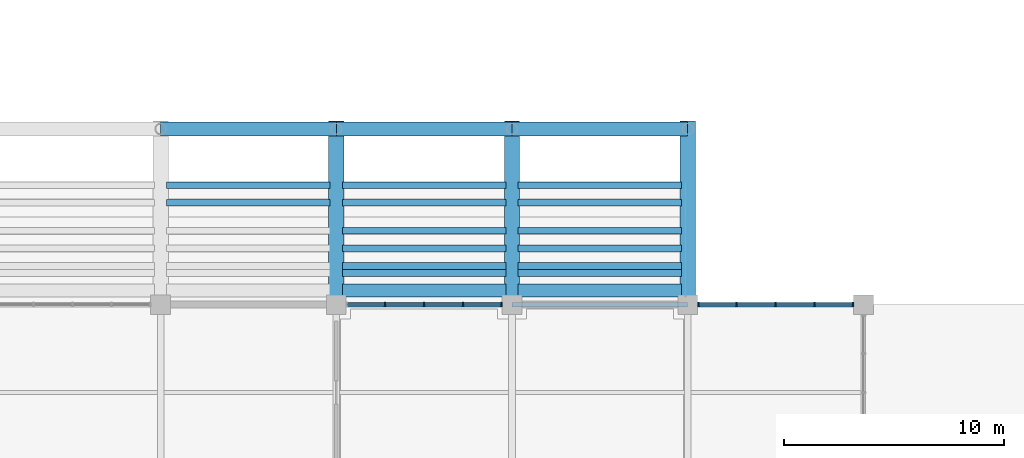
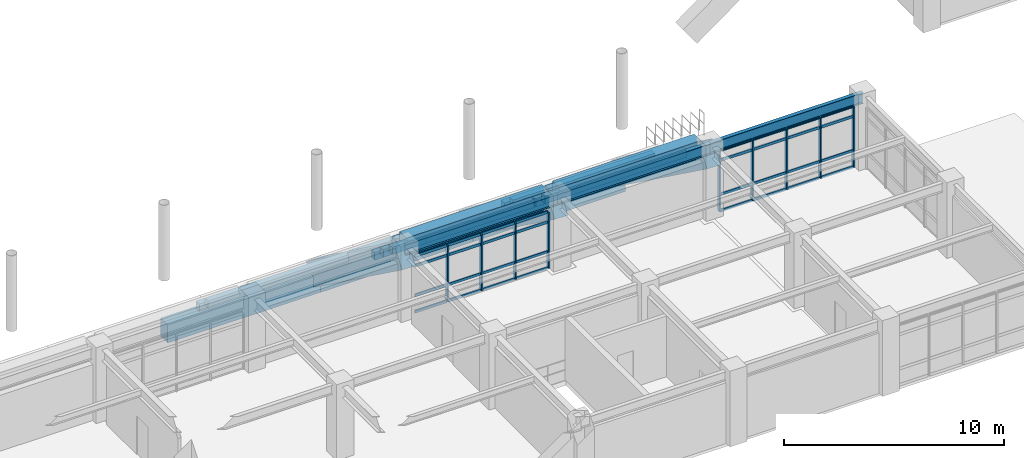
# One storey, part 24 of 118: 41 members, 25 beams, 2 elements without a shape of their own.
"""IFC4 building model written with IfcOpenShell, lengths in metres."""

from ifc_helpers import new_model, si_unit, direction, frame, origin, origin_2d, place, context, subcontext, project, spatial, rectangle, i_section, extrude, material, layer, layer_set, material_profile, profile_set, type_object, element, aggregate, save


model = new_model("IFC4")

# Units and contexts
model_context = context("Model", 3, precision=1e-05, world=origin(), true_north=direction((0.0, 1.0)))
body_context = subcontext(model_context, "Body", "Model", "MODEL_VIEW")
ifc_project = project(units=[si_unit("LENGTHUNIT", "METRE"), si_unit("AREAUNIT", "SQUARE_METRE"), si_unit("VOLUMEUNIT", "CUBIC_METRE"), si_unit("PLANEANGLEUNIT", "RADIAN"), si_unit("MASSUNIT", "GRAM", prefix="KILO")], contexts=[model_context])

# Site, building, storey
site_placement = place(None, origin())
site = spatial("IfcSite", under=ifc_project, at=site_placement, CompositionType="ELEMENT")
building_placement = place(site_placement, origin())
building = spatial("IfcBuilding", under=site, at=building_placement, Name="Haebicheon Civic Stadium", CompositionType="ELEMENT")
storey_placement = place(building_placement, frame((0.0, 0.0, 14.39990234375)))
storey = spatial("IfcBuildingStorey", under=building, at=storey_placement, Name="L04", CompositionType="ELEMENT", Elevation=14.39990234375)

# Beams
ifc_material_1 = material(Name="Precast concrete C40/50", Category="concrete")
ifc_material_profile_1 = material_profile(ifc_material_1, rectangle(XDim=0.300048828125, YDim=0.39990234375, at=origin_2d()), Name="PC-LN-300x400")
ifc_profile_set_1 = profile_set([ifc_material_profile_1], Name="Precast concrete C40/50")
beam_type_1 = type_object("IfcBeamType", Name="BM-LN-300x400", PredefinedType="LINTEL", material=ifc_profile_set_1)
for number, where, z_axis, x_axis, name in (
    (1, (104.280029296875, 37.43994140625, -0.10693359375), (1.0, 0.0, 0.0), (0.0, 1.0, 0.0), "TIER-S-U precast step carrier beam 4.4"),
    (2, (104.280029296875, 36.639892578125, 0.5380859375), (1.0, 0.0, 0.0), (0.0, 1.0, 0.0), "TIER-S-U precast step carrier beam 4.5"),
    (3, (112.280029296875, 37.43994140625, -0.10693359375), (1.0, 0.0, 0.0), (0.0, 1.0, 0.0), "TIER-S-U precast step carrier beam 5.4"),
    (4, (112.280029296875, 36.639892578125, 0.5380859375), (1.0, 0.0, 0.0), (0.0, 1.0, 0.0), "TIER-S-U precast step carrier beam 5.5"),
    (5, (112.280029296875, 35.360107421875, 1.18212890625), (1.0, 0.0, 0.0), (0.0, 1.0, 0.0), "TIER-S-U precast step carrier beam 5.6"),
    (6, (112.280029296875, 34.56005859375, 1.8271484375), (1.0, 0.0, 0.0), (0.0, 1.0, 0.0), "TIER-S-U precast step carrier beam 5.7"),
    (7, (112.280029296875, 33.760009765625, 2.47119140625), (1.0, 0.0, 0.0), (0.0, 1.0, 0.0), "TIER-S-U precast step carrier beam 5.8"),
    (8, (112.280029296875, 33.43994140625, 3.1162109375), (1.0, 0.0, 0.0), (0.0, 1.0, 0.0), "TIER-S-U precast step carrier beam 5.9"),
    (9, (120.280029296875, 37.43994140625, -0.10693359375), (1.0, 0.0, 0.0), (0.0, 1.0, 0.0), "TIER-S-U precast step carrier beam 6.4"),
    (10, (120.280029296875, 36.639892578125, 0.5380859375), (1.0, 0.0, 0.0), (0.0, 1.0, 0.0), "TIER-S-U precast step carrier beam 6.5"),
    (11, (120.280029296875, 35.360107421875, 1.18212890625), (1.0, 0.0, 0.0), (0.0, 1.0, 0.0), "TIER-S-U precast step carrier beam 6.6"),
    (12, (120.280029296875, 34.56005859375, 1.8271484375), (1.0, 0.0, 0.0), (0.0, 1.0, 0.0), "TIER-S-U precast step carrier beam 6.7"),
    (13, (120.280029296875, 33.760009765625, 2.47119140625), (1.0, 0.0, 0.0), (0.0, 1.0, 0.0), "TIER-S-U precast step carrier beam 6.8"),
    (14, (120.280029296875, 33.43994140625, 3.1162109375), (1.0, 0.0, 0.0), (0.0, 1.0, 0.0), "TIER-S-U precast step carrier beam 6.9"),
):
    element("IfcBeam", number, at=place(storey_placement, frame(where, z_axis=z_axis, x_axis=x_axis)), inside=storey, type_object=beam_type_1, material=ifc_profile_set_1, Name=name, PredefinedType="LINTEL", context=body_context, shape_type="SweptSolid", body=[
        extrude(rectangle(XDim=0.300048828125, YDim=0.39990234375, at=origin_2d()), origin(), (0.0, 0.0, 1.0), 7.43994140625),
    ])
ifc_material_2 = material(Name="Concrete C40/50", Category="concrete")
ifc_material_profile_2 = material_profile(ifc_material_2, rectangle(XDim=0.64990234375, YDim=1.0, at=origin_2d()), Name="RC-BM-650x1000")
ifc_profile_set_2 = profile_set([ifc_material_profile_2], Name="Concrete C40/50")
beam_type_2 = type_object("IfcBeamType", Name="BM-RC-650x1000", PredefinedType="BEAM", material=ifc_profile_set_2)
for number, where, z_axis, x_axis, name in (
    (15, (104.0, 40.0, -2.914794921875), (1.0, 0.0, 0.0), (0.0, 1.0, 0.0), "TIER-S-U nose support girder 4"),
    (16, (112.0, 40.0, -2.914794921875), (1.0, 0.0, 0.0), (0.0, 1.0, 0.0), "TIER-S-U nose support girder 5"),
    (17, (120.0, 40.0, -2.914794921875), (1.0, 0.0, 0.0), (0.0, 1.0, 0.0), "TIER-S-U nose support girder 6"),
):
    element("IfcBeam", number, at=place(storey_placement, frame(where, z_axis=z_axis, x_axis=x_axis)), inside=storey, type_object=beam_type_2, material=ifc_profile_set_2, Name=name, PredefinedType="BEAM", context=body_context, shape_type="SweptSolid", body=[
        extrude(rectangle(XDim=0.64990234375, YDim=1.0, at=origin_2d()), origin(), (0.0, 0.0, 1.0), 8.0),
    ])
ifc_material_3 = material(Name="Precast concrete C40/50", Category="concrete")
ifc_material_profile_3 = material_profile(ifc_material_3, rectangle(XDim=0.60009765625, YDim=0.85009765625, at=origin_2d()), Name="PC-TB-600x850")
ifc_profile_set_3 = profile_set([ifc_material_profile_3], Name="Precast concrete C40/50")
beam_type_3 = type_object("IfcBeamType", Name="BM-TB-600x850", PredefinedType="T_BEAM", material=ifc_profile_set_3)
for number, where, z_axis, x_axis, name in (
    (18, (112.280029296875, 32.639892578125, 3.53515625), (1.0, 0.0, 0.0), (0.0, 1.0, 0.0), "TIER-S-U upper tier bench carrier beam 5"),
    (19, (120.280029296875, 32.639892578125, 3.53515625), (1.0, 0.0, 0.0), (0.0, 1.0, 0.0), "TIER-S-U upper tier bench carrier beam 6"),
):
    element("IfcBeam", number, at=place(storey_placement, frame(where, z_axis=z_axis, x_axis=x_axis)), inside=storey, type_object=beam_type_3, material=ifc_profile_set_3, Name=name, PredefinedType="T_BEAM", context=body_context, shape_type="SweptSolid", body=[
        extrude(rectangle(XDim=0.60009765625, YDim=0.85009765625, at=origin_2d()), origin(), (0.0, 0.0, 1.0), 7.43994140625),
    ])

# Curtain wall, members
ifc_material_4 = material(Name="Anodised aluminium and laminated glass", Category="aluminium")
ifc_layer_1 = layer(ifc_material_4, 0.179931640625, Name="Anodised aluminium and laminated glass")
ifc_layer_set_1 = layer_set([ifc_layer_1], Name="Anodised aluminium and laminated glass")
curtain_wall_type_1 = type_object("IfcCurtainWallType", Name="CW-7100x3100", PredefinedType="NOTDEFINED", material=ifc_layer_set_1)
curtain_wall_1_placement = place(storey_placement, origin())
curtain_wall_1 = element("IfcCurtainWall", 20, at=curtain_wall_1_placement, inside=storey, type_object=curtain_wall_type_1, material=ifc_layer_set_1, Name="L04 unitised curtain wall 136", PredefinedType="NOTDEFINED")
ifc_material_5 = material(Name="Anodised aluminium 6063-T6", Category="aluminium")
ifc_material_profile_4 = material_profile(ifc_material_5, rectangle(XDim=0.070068359375, YDim=0.199951171875, at=origin_2d()), Name="ALU-MULL-70x200")
ifc_profile_set_4 = profile_set([ifc_material_profile_4], Name="Anodised aluminium 6063-T6")
member_type_1 = type_object("IfcMemberType", Name="CWM-200x70", PredefinedType="MULLION", material=ifc_profile_set_4)
member_1_placement = place(storey_placement, frame((114.22509765625, 32.0, 0.0), z_axis=(0.0, 0.0, 1.0), x_axis=(1.0, 0.0, 0.0)))
member_1 = element("IfcMember", 21, at=member_1_placement, type_object=member_type_1, material=ifc_profile_set_4, Name="CW-L04-136 vertical mullion 2", PredefinedType="MULLION", context=body_context, shape_type="SweptSolid", body=[
    extrude(rectangle(XDim=0.070068359375, YDim=0.199951171875, at=origin_2d()), origin(), (0.0, 0.0, 1.0), 3.10009765625),
])
member_2_placement = place(storey_placement, frame((116.0, 32.0, 0.0), z_axis=(0.0, 0.0, 1.0), x_axis=(1.0, 0.0, 0.0)))
member_2 = element("IfcMember", 22, at=member_2_placement, type_object=member_type_1, material=ifc_profile_set_4, Name="CW-L04-136 vertical mullion 3", PredefinedType="MULLION", context=body_context, shape_type="SweptSolid", body=[
    extrude(rectangle(XDim=0.070068359375, YDim=0.199951171875, at=origin_2d()), origin(), (0.0, 0.0, 1.0), 3.10009765625),
])
member_3_placement = place(storey_placement, frame((117.77490234375, 32.0, 0.0), z_axis=(0.0, 0.0, 1.0), x_axis=(1.0, 0.0, 0.0)))
member_3 = element("IfcMember", 23, at=member_3_placement, type_object=member_type_1, material=ifc_profile_set_4, Name="CW-L04-136 vertical mullion 4", PredefinedType="MULLION", context=body_context, shape_type="SweptSolid", body=[
    extrude(rectangle(XDim=0.070068359375, YDim=0.199951171875, at=origin_2d()), origin(), (0.0, 0.0, 1.0), 3.10009765625),
])
member_4_placement = place(storey_placement, frame((119.514892578125, 32.0, 0.0), z_axis=(0.0, 0.0, 1.0), x_axis=(1.0, 0.0, 0.0)))
member_4 = element("IfcMember", 24, at=member_4_placement, type_object=member_type_1, material=ifc_profile_set_4, Name="CW-L04-136 vertical mullion 5", PredefinedType="MULLION", context=body_context, shape_type="SweptSolid", body=[
    extrude(rectangle(XDim=0.070068359375, YDim=0.199951171875, at=origin_2d()), origin(), (0.0, 0.0, 1.0), 3.10009765625),
])

ifc_material_6 = material(Name="Anodised aluminium and laminated glass", Category="aluminium")
ifc_layer_2 = layer(ifc_material_6, 0.179931640625, Name="Anodised aluminium and laminated glass")
ifc_layer_set_2 = layer_set([ifc_layer_2], Name="Anodised aluminium and laminated glass")
curtain_wall_type_2 = type_object("IfcCurtainWallType", Name="CW-7100x3346", PredefinedType="NOTDEFINED", material=ifc_layer_set_2)
curtain_wall_2_placement = place(storey_placement, origin())
curtain_wall_2 = element("IfcCurtainWall", 25, at=curtain_wall_2_placement, inside=storey, type_object=curtain_wall_type_2, material=ifc_layer_set_2, Name="L04 unitised curtain wall 140", PredefinedType="NOTDEFINED")
member_5_placement = place(storey_placement, frame((128.485107421875, 32.0, 0.0), z_axis=(0.0, 0.0, 1.0), x_axis=(1.0, 0.0, 0.0)))
member_5 = element("IfcMember", 26, at=member_5_placement, type_object=member_type_1, material=ifc_profile_set_4, Name="CW-L04-140 vertical mullion 1", PredefinedType="MULLION", context=body_context, shape_type="SweptSolid", body=[
    extrude(rectangle(XDim=0.070068359375, YDim=0.199951171875, at=origin_2d()), origin(), (0.0, 0.0, 1.0), 3.34619140625),
])
member_6_placement = place(storey_placement, frame((130.22509765625, 32.0, 0.0), z_axis=(0.0, 0.0, 1.0), x_axis=(1.0, 0.0, 0.0)))
member_6 = element("IfcMember", 27, at=member_6_placement, type_object=member_type_1, material=ifc_profile_set_4, Name="CW-L04-140 vertical mullion 2", PredefinedType="MULLION", context=body_context, shape_type="SweptSolid", body=[
    extrude(rectangle(XDim=0.070068359375, YDim=0.199951171875, at=origin_2d()), origin(), (0.0, 0.0, 1.0), 3.34619140625),
])
member_7_placement = place(storey_placement, frame((132.0, 32.0, 0.0), z_axis=(0.0, 0.0, 1.0), x_axis=(1.0, 0.0, 0.0)))
member_7 = element("IfcMember", 28, at=member_7_placement, type_object=member_type_1, material=ifc_profile_set_4, Name="CW-L04-140 vertical mullion 3", PredefinedType="MULLION", context=body_context, shape_type="SweptSolid", body=[
    extrude(rectangle(XDim=0.070068359375, YDim=0.199951171875, at=origin_2d()), origin(), (0.0, 0.0, 1.0), 3.34619140625),
])
member_8_placement = place(storey_placement, frame((133.77490234375, 32.0, 0.0), z_axis=(0.0, 0.0, 1.0), x_axis=(1.0, 0.0, 0.0)))
member_8 = element("IfcMember", 29, at=member_8_placement, type_object=member_type_1, material=ifc_profile_set_4, Name="CW-L04-140 vertical mullion 4", PredefinedType="MULLION", context=body_context, shape_type="SweptSolid", body=[
    extrude(rectangle(XDim=0.070068359375, YDim=0.199951171875, at=origin_2d()), origin(), (0.0, 0.0, 1.0), 3.34619140625),
])
member_9_placement = place(storey_placement, frame((135.514892578125, 32.0, 0.0), z_axis=(0.0, 0.0, 1.0), x_axis=(1.0, 0.0, 0.0)))
member_9 = element("IfcMember", 30, at=member_9_placement, type_object=member_type_1, material=ifc_profile_set_4, Name="CW-L04-140 vertical mullion 5", PredefinedType="MULLION", context=body_context, shape_type="SweptSolid", body=[
    extrude(rectangle(XDim=0.070068359375, YDim=0.199951171875, at=origin_2d()), origin(), (0.0, 0.0, 1.0), 3.34619140625),
])

# Member
ifc_material_7 = material(Name="Anodised aluminium 6063-T6", Category="aluminium")
ifc_material_profile_5 = material_profile(ifc_material_7, rectangle(XDim=0.070068359375, YDim=0.14990234375, at=origin_2d()), Name="ALU-TRAN-70x150")
ifc_profile_set_5 = profile_set([ifc_material_profile_5], Name="Anodised aluminium 6063-T6")
member_type_2 = type_object("IfcMemberType", Name="CWT-150x70", PredefinedType="NOTDEFINED", material=ifc_profile_set_5)
member_10_placement = place(storey_placement, frame((112.52001953125, 32.0, 0.0), z_axis=(1.0, 0.0, 0.0), x_axis=(0.0, 1.0, 0.0)))
member_10 = element("IfcMember", 31, at=member_10_placement, type_object=member_type_2, material=ifc_profile_set_5, Name="CW-L04-136 horizontal transom 1.1", ObjectType="TRANSOM", PredefinedType="USERDEFINED", context=body_context, shape_type="SweptSolid", body=[
    extrude(rectangle(XDim=0.070068359375, YDim=0.14990234375, at=origin_2d()), origin(), (0.0, 0.0, 1.0), 1.669921875),
])

member_11_placement = place(storey_placement, frame((112.52001953125, 32.0, 0.900146484375), z_axis=(1.0, 0.0, 0.0), x_axis=(0.0, 1.0, 0.0)))
member_11 = element("IfcMember", 32, at=member_11_placement, type_object=member_type_2, material=ifc_profile_set_5, Name="CW-L04-136 horizontal transom 1.2", ObjectType="TRANSOM", PredefinedType="USERDEFINED", context=body_context, shape_type="SweptSolid", body=[
    extrude(rectangle(XDim=0.070068359375, YDim=0.14990234375, at=origin_2d()), origin(), (0.0, 0.0, 1.0), 1.669921875),
])

member_12_placement = place(storey_placement, frame((112.52001953125, 32.0, 2.550048828125), z_axis=(1.0, 0.0, 0.0), x_axis=(0.0, 1.0, 0.0)))
member_12 = element("IfcMember", 33, at=member_12_placement, type_object=member_type_2, material=ifc_profile_set_5, Name="CW-L04-136 horizontal transom 1.3", ObjectType="TRANSOM", PredefinedType="USERDEFINED", context=body_context, shape_type="SweptSolid", body=[
    extrude(rectangle(XDim=0.070068359375, YDim=0.14990234375, at=origin_2d()), origin(), (0.0, 0.0, 1.0), 1.669921875),
])

member_13_placement = place(storey_placement, frame((112.52001953125, 32.0, 3.10009765625), z_axis=(1.0, 0.0, 0.0), x_axis=(0.0, 1.0, 0.0)))
member_13 = element("IfcMember", 34, at=member_13_placement, type_object=member_type_2, material=ifc_profile_set_5, Name="CW-L04-136 horizontal transom 1.4", ObjectType="TRANSOM", PredefinedType="USERDEFINED", context=body_context, shape_type="SweptSolid", body=[
    extrude(rectangle(XDim=0.070068359375, YDim=0.14990234375, at=origin_2d()), origin(), (0.0, 0.0, 1.0), 1.669921875),
])

member_14_placement = place(storey_placement, frame((114.260009765625, 32.0, 0.0), z_axis=(1.0, 0.0, 0.0), x_axis=(0.0, 1.0, 0.0)))
member_14 = element("IfcMember", 35, at=member_14_placement, type_object=member_type_2, material=ifc_profile_set_5, Name="CW-L04-136 horizontal transom 2.1", ObjectType="TRANSOM", PredefinedType="USERDEFINED", context=body_context, shape_type="SweptSolid", body=[
    extrude(rectangle(XDim=0.070068359375, YDim=0.14990234375, at=origin_2d()), origin(), (0.0, 0.0, 1.0), 1.705078125),
])

member_15_placement = place(storey_placement, frame((114.260009765625, 32.0, 0.900146484375), z_axis=(1.0, 0.0, 0.0), x_axis=(0.0, 1.0, 0.0)))
member_15 = element("IfcMember", 36, at=member_15_placement, type_object=member_type_2, material=ifc_profile_set_5, Name="CW-L04-136 horizontal transom 2.2", ObjectType="TRANSOM", PredefinedType="USERDEFINED", context=body_context, shape_type="SweptSolid", body=[
    extrude(rectangle(XDim=0.070068359375, YDim=0.14990234375, at=origin_2d()), origin(), (0.0, 0.0, 1.0), 1.705078125),
])

member_16_placement = place(storey_placement, frame((114.260009765625, 32.0, 2.550048828125), z_axis=(1.0, 0.0, 0.0), x_axis=(0.0, 1.0, 0.0)))
member_16 = element("IfcMember", 37, at=member_16_placement, type_object=member_type_2, material=ifc_profile_set_5, Name="CW-L04-136 horizontal transom 2.3", ObjectType="TRANSOM", PredefinedType="USERDEFINED", context=body_context, shape_type="SweptSolid", body=[
    extrude(rectangle(XDim=0.070068359375, YDim=0.14990234375, at=origin_2d()), origin(), (0.0, 0.0, 1.0), 1.705078125),
])

member_17_placement = place(storey_placement, frame((114.260009765625, 32.0, 3.10009765625), z_axis=(1.0, 0.0, 0.0), x_axis=(0.0, 1.0, 0.0)))
member_17 = element("IfcMember", 38, at=member_17_placement, type_object=member_type_2, material=ifc_profile_set_5, Name="CW-L04-136 horizontal transom 2.4", ObjectType="TRANSOM", PredefinedType="USERDEFINED", context=body_context, shape_type="SweptSolid", body=[
    extrude(rectangle(XDim=0.070068359375, YDim=0.14990234375, at=origin_2d()), origin(), (0.0, 0.0, 1.0), 1.705078125),
])

member_18_placement = place(storey_placement, frame((116.034912109375, 32.0, 0.0), z_axis=(1.0, 0.0, 0.0), x_axis=(0.0, 1.0, 0.0)))
member_18 = element("IfcMember", 39, at=member_18_placement, type_object=member_type_2, material=ifc_profile_set_5, Name="CW-L04-136 horizontal transom 3.1", ObjectType="TRANSOM", PredefinedType="USERDEFINED", context=body_context, shape_type="SweptSolid", body=[
    extrude(rectangle(XDim=0.070068359375, YDim=0.14990234375, at=origin_2d()), origin(), (0.0, 0.0, 1.0), 1.705078125),
])

member_19_placement = place(storey_placement, frame((116.034912109375, 32.0, 0.900146484375), z_axis=(1.0, 0.0, 0.0), x_axis=(0.0, 1.0, 0.0)))
member_19 = element("IfcMember", 40, at=member_19_placement, type_object=member_type_2, material=ifc_profile_set_5, Name="CW-L04-136 horizontal transom 3.2", ObjectType="TRANSOM", PredefinedType="USERDEFINED", context=body_context, shape_type="SweptSolid", body=[
    extrude(rectangle(XDim=0.070068359375, YDim=0.14990234375, at=origin_2d()), origin(), (0.0, 0.0, 1.0), 1.705078125),
])

member_20_placement = place(storey_placement, frame((116.034912109375, 32.0, 2.550048828125), z_axis=(1.0, 0.0, 0.0), x_axis=(0.0, 1.0, 0.0)))
member_20 = element("IfcMember", 41, at=member_20_placement, type_object=member_type_2, material=ifc_profile_set_5, Name="CW-L04-136 horizontal transom 3.3", ObjectType="TRANSOM", PredefinedType="USERDEFINED", context=body_context, shape_type="SweptSolid", body=[
    extrude(rectangle(XDim=0.070068359375, YDim=0.14990234375, at=origin_2d()), origin(), (0.0, 0.0, 1.0), 1.705078125),
])

member_21_placement = place(storey_placement, frame((116.034912109375, 32.0, 3.10009765625), z_axis=(1.0, 0.0, 0.0), x_axis=(0.0, 1.0, 0.0)))
member_21 = element("IfcMember", 42, at=member_21_placement, type_object=member_type_2, material=ifc_profile_set_5, Name="CW-L04-136 horizontal transom 3.4", ObjectType="TRANSOM", PredefinedType="USERDEFINED", context=body_context, shape_type="SweptSolid", body=[
    extrude(rectangle(XDim=0.070068359375, YDim=0.14990234375, at=origin_2d()), origin(), (0.0, 0.0, 1.0), 1.705078125),
])

member_22_placement = place(storey_placement, frame((117.81005859375, 32.0, 0.0), z_axis=(1.0, 0.0, 0.0), x_axis=(0.0, 1.0, 0.0)))
member_22 = element("IfcMember", 43, at=member_22_placement, type_object=member_type_2, material=ifc_profile_set_5, Name="CW-L04-136 horizontal transom 4.1", ObjectType="TRANSOM", PredefinedType="USERDEFINED", context=body_context, shape_type="SweptSolid", body=[
    extrude(rectangle(XDim=0.070068359375, YDim=0.14990234375, at=origin_2d()), origin(), (0.0, 0.0, 1.0), 1.669921875),
])

member_23_placement = place(storey_placement, frame((117.81005859375, 32.0, 0.900146484375), z_axis=(1.0, 0.0, 0.0), x_axis=(0.0, 1.0, 0.0)))
member_23 = element("IfcMember", 44, at=member_23_placement, type_object=member_type_2, material=ifc_profile_set_5, Name="CW-L04-136 horizontal transom 4.2", ObjectType="TRANSOM", PredefinedType="USERDEFINED", context=body_context, shape_type="SweptSolid", body=[
    extrude(rectangle(XDim=0.070068359375, YDim=0.14990234375, at=origin_2d()), origin(), (0.0, 0.0, 1.0), 1.669921875),
])

member_24_placement = place(storey_placement, frame((117.81005859375, 32.0, 2.550048828125), z_axis=(1.0, 0.0, 0.0), x_axis=(0.0, 1.0, 0.0)))
member_24 = element("IfcMember", 45, at=member_24_placement, type_object=member_type_2, material=ifc_profile_set_5, Name="CW-L04-136 horizontal transom 4.3", ObjectType="TRANSOM", PredefinedType="USERDEFINED", context=body_context, shape_type="SweptSolid", body=[
    extrude(rectangle(XDim=0.070068359375, YDim=0.14990234375, at=origin_2d()), origin(), (0.0, 0.0, 1.0), 1.669921875),
])

member_25_placement = place(storey_placement, frame((117.81005859375, 32.0, 3.10009765625), z_axis=(1.0, 0.0, 0.0), x_axis=(0.0, 1.0, 0.0)))
member_25 = element("IfcMember", 46, at=member_25_placement, type_object=member_type_2, material=ifc_profile_set_5, Name="CW-L04-136 horizontal transom 4.4", ObjectType="TRANSOM", PredefinedType="USERDEFINED", context=body_context, shape_type="SweptSolid", body=[
    extrude(rectangle(XDim=0.070068359375, YDim=0.14990234375, at=origin_2d()), origin(), (0.0, 0.0, 1.0), 1.669921875),
])

aggregate(curtain_wall_1, [member_1, member_2, member_3, member_4, member_10, member_11, member_12, member_13, member_14, member_15, member_16, member_17, member_18, member_19, member_20, member_21, member_22, member_23, member_24, member_25])

member_26_placement = place(storey_placement, frame((128.52001953125, 32.0, 0.0), z_axis=(1.0, 0.0, 0.0), x_axis=(0.0, 1.0, 0.0)))
member_26 = element("IfcMember", 47, at=member_26_placement, type_object=member_type_2, material=ifc_profile_set_5, Name="CW-L04-140 horizontal transom 1.1", ObjectType="TRANSOM", PredefinedType="USERDEFINED", context=body_context, shape_type="SweptSolid", body=[
    extrude(rectangle(XDim=0.070068359375, YDim=0.14990234375, at=origin_2d()), origin(), (0.0, 0.0, 1.0), 1.669921875),
])

member_27_placement = place(storey_placement, frame((128.52001953125, 32.0, 0.900146484375), z_axis=(1.0, 0.0, 0.0), x_axis=(0.0, 1.0, 0.0)))
member_27 = element("IfcMember", 48, at=member_27_placement, type_object=member_type_2, material=ifc_profile_set_5, Name="CW-L04-140 horizontal transom 1.2", ObjectType="TRANSOM", PredefinedType="USERDEFINED", context=body_context, shape_type="SweptSolid", body=[
    extrude(rectangle(XDim=0.070068359375, YDim=0.14990234375, at=origin_2d()), origin(), (0.0, 0.0, 1.0), 1.669921875),
])

member_28_placement = place(storey_placement, frame((128.52001953125, 32.0, 2.796142578125), z_axis=(1.0, 0.0, 0.0), x_axis=(0.0, 1.0, 0.0)))
member_28 = element("IfcMember", 49, at=member_28_placement, type_object=member_type_2, material=ifc_profile_set_5, Name="CW-L04-140 horizontal transom 1.3", ObjectType="TRANSOM", PredefinedType="USERDEFINED", context=body_context, shape_type="SweptSolid", body=[
    extrude(rectangle(XDim=0.070068359375, YDim=0.14990234375, at=origin_2d()), origin(), (0.0, 0.0, 1.0), 1.669921875),
])

member_29_placement = place(storey_placement, frame((128.52001953125, 32.0, 3.34619140625), z_axis=(1.0, 0.0, 0.0), x_axis=(0.0, 1.0, 0.0)))
member_29 = element("IfcMember", 50, at=member_29_placement, type_object=member_type_2, material=ifc_profile_set_5, Name="CW-L04-140 horizontal transom 1.4", ObjectType="TRANSOM", PredefinedType="USERDEFINED", context=body_context, shape_type="SweptSolid", body=[
    extrude(rectangle(XDim=0.070068359375, YDim=0.14990234375, at=origin_2d()), origin(), (0.0, 0.0, 1.0), 1.669921875),
])

member_30_placement = place(storey_placement, frame((130.260009765625, 32.0, 0.0), z_axis=(1.0, 0.0, 0.0), x_axis=(0.0, 1.0, 0.0)))
member_30 = element("IfcMember", 51, at=member_30_placement, type_object=member_type_2, material=ifc_profile_set_5, Name="CW-L04-140 horizontal transom 2.1", ObjectType="TRANSOM", PredefinedType="USERDEFINED", context=body_context, shape_type="SweptSolid", body=[
    extrude(rectangle(XDim=0.070068359375, YDim=0.14990234375, at=origin_2d()), origin(), (0.0, 0.0, 1.0), 1.705078125),
])

member_31_placement = place(storey_placement, frame((130.260009765625, 32.0, 0.900146484375), z_axis=(1.0, 0.0, 0.0), x_axis=(0.0, 1.0, 0.0)))
member_31 = element("IfcMember", 52, at=member_31_placement, type_object=member_type_2, material=ifc_profile_set_5, Name="CW-L04-140 horizontal transom 2.2", ObjectType="TRANSOM", PredefinedType="USERDEFINED", context=body_context, shape_type="SweptSolid", body=[
    extrude(rectangle(XDim=0.070068359375, YDim=0.14990234375, at=origin_2d()), origin(), (0.0, 0.0, 1.0), 1.705078125),
])

member_32_placement = place(storey_placement, frame((130.260009765625, 32.0, 2.796142578125), z_axis=(1.0, 0.0, 0.0), x_axis=(0.0, 1.0, 0.0)))
member_32 = element("IfcMember", 53, at=member_32_placement, type_object=member_type_2, material=ifc_profile_set_5, Name="CW-L04-140 horizontal transom 2.3", ObjectType="TRANSOM", PredefinedType="USERDEFINED", context=body_context, shape_type="SweptSolid", body=[
    extrude(rectangle(XDim=0.070068359375, YDim=0.14990234375, at=origin_2d()), origin(), (0.0, 0.0, 1.0), 1.705078125),
])

member_33_placement = place(storey_placement, frame((130.260009765625, 32.0, 3.34619140625), z_axis=(1.0, 0.0, 0.0), x_axis=(0.0, 1.0, 0.0)))
member_33 = element("IfcMember", 54, at=member_33_placement, type_object=member_type_2, material=ifc_profile_set_5, Name="CW-L04-140 horizontal transom 2.4", ObjectType="TRANSOM", PredefinedType="USERDEFINED", context=body_context, shape_type="SweptSolid", body=[
    extrude(rectangle(XDim=0.070068359375, YDim=0.14990234375, at=origin_2d()), origin(), (0.0, 0.0, 1.0), 1.705078125),
])

member_34_placement = place(storey_placement, frame((132.034912109375, 32.0, 0.0), z_axis=(1.0, 0.0, 0.0), x_axis=(0.0, 1.0, 0.0)))
member_34 = element("IfcMember", 55, at=member_34_placement, type_object=member_type_2, material=ifc_profile_set_5, Name="CW-L04-140 horizontal transom 3.1", ObjectType="TRANSOM", PredefinedType="USERDEFINED", context=body_context, shape_type="SweptSolid", body=[
    extrude(rectangle(XDim=0.070068359375, YDim=0.14990234375, at=origin_2d()), origin(), (0.0, 0.0, 1.0), 1.705078125),
])

member_35_placement = place(storey_placement, frame((132.034912109375, 32.0, 0.900146484375), z_axis=(1.0, 0.0, 0.0), x_axis=(0.0, 1.0, 0.0)))
member_35 = element("IfcMember", 56, at=member_35_placement, type_object=member_type_2, material=ifc_profile_set_5, Name="CW-L04-140 horizontal transom 3.2", ObjectType="TRANSOM", PredefinedType="USERDEFINED", context=body_context, shape_type="SweptSolid", body=[
    extrude(rectangle(XDim=0.070068359375, YDim=0.14990234375, at=origin_2d()), origin(), (0.0, 0.0, 1.0), 1.705078125),
])

member_36_placement = place(storey_placement, frame((132.034912109375, 32.0, 2.796142578125), z_axis=(1.0, 0.0, 0.0), x_axis=(0.0, 1.0, 0.0)))
member_36 = element("IfcMember", 57, at=member_36_placement, type_object=member_type_2, material=ifc_profile_set_5, Name="CW-L04-140 horizontal transom 3.3", ObjectType="TRANSOM", PredefinedType="USERDEFINED", context=body_context, shape_type="SweptSolid", body=[
    extrude(rectangle(XDim=0.070068359375, YDim=0.14990234375, at=origin_2d()), origin(), (0.0, 0.0, 1.0), 1.705078125),
])

member_37_placement = place(storey_placement, frame((132.034912109375, 32.0, 3.34619140625), z_axis=(1.0, 0.0, 0.0), x_axis=(0.0, 1.0, 0.0)))
member_37 = element("IfcMember", 58, at=member_37_placement, type_object=member_type_2, material=ifc_profile_set_5, Name="CW-L04-140 horizontal transom 3.4", ObjectType="TRANSOM", PredefinedType="USERDEFINED", context=body_context, shape_type="SweptSolid", body=[
    extrude(rectangle(XDim=0.070068359375, YDim=0.14990234375, at=origin_2d()), origin(), (0.0, 0.0, 1.0), 1.705078125),
])

member_38_placement = place(storey_placement, frame((133.81005859375, 32.0, 0.0), z_axis=(1.0, 0.0, 0.0), x_axis=(0.0, 1.0, 0.0)))
member_38 = element("IfcMember", 59, at=member_38_placement, type_object=member_type_2, material=ifc_profile_set_5, Name="CW-L04-140 horizontal transom 4.1", ObjectType="TRANSOM", PredefinedType="USERDEFINED", context=body_context, shape_type="SweptSolid", body=[
    extrude(rectangle(XDim=0.070068359375, YDim=0.14990234375, at=origin_2d()), origin(), (0.0, 0.0, 1.0), 1.669921875),
])

member_39_placement = place(storey_placement, frame((133.81005859375, 32.0, 0.900146484375), z_axis=(1.0, 0.0, 0.0), x_axis=(0.0, 1.0, 0.0)))
member_39 = element("IfcMember", 60, at=member_39_placement, type_object=member_type_2, material=ifc_profile_set_5, Name="CW-L04-140 horizontal transom 4.2", ObjectType="TRANSOM", PredefinedType="USERDEFINED", context=body_context, shape_type="SweptSolid", body=[
    extrude(rectangle(XDim=0.070068359375, YDim=0.14990234375, at=origin_2d()), origin(), (0.0, 0.0, 1.0), 1.669921875),
])

member_40_placement = place(storey_placement, frame((133.81005859375, 32.0, 2.796142578125), z_axis=(1.0, 0.0, 0.0), x_axis=(0.0, 1.0, 0.0)))
member_40 = element("IfcMember", 61, at=member_40_placement, type_object=member_type_2, material=ifc_profile_set_5, Name="CW-L04-140 horizontal transom 4.3", ObjectType="TRANSOM", PredefinedType="USERDEFINED", context=body_context, shape_type="SweptSolid", body=[
    extrude(rectangle(XDim=0.070068359375, YDim=0.14990234375, at=origin_2d()), origin(), (0.0, 0.0, 1.0), 1.669921875),
])

member_41_placement = place(storey_placement, frame((133.81005859375, 32.0, 3.34619140625), z_axis=(1.0, 0.0, 0.0), x_axis=(0.0, 1.0, 0.0)))
member_41 = element("IfcMember", 62, at=member_41_placement, type_object=member_type_2, material=ifc_profile_set_5, Name="CW-L04-140 horizontal transom 4.4", ObjectType="TRANSOM", PredefinedType="USERDEFINED", context=body_context, shape_type="SweptSolid", body=[
    extrude(rectangle(XDim=0.070068359375, YDim=0.14990234375, at=origin_2d()), origin(), (0.0, 0.0, 1.0), 1.669921875),
])

aggregate(curtain_wall_2, [member_5, member_6, member_7, member_8, member_9, member_26, member_27, member_28, member_29, member_30, member_31, member_32, member_33, member_34, member_35, member_36, member_37, member_38, member_39, member_40, member_41])

# Beams
ifc_material_8 = material(Name="Precast concrete C40/50", Category="concrete")
ifc_material_profile_6 = material_profile(ifc_material_8, rectangle(XDim=0.699951171875, YDim=1.25, at=origin_2d()), Name="PC-RK-700x1250")
ifc_profile_set_6 = profile_set([ifc_material_profile_6], Name="Precast concrete C40/50")
beam_type_4 = type_object("IfcBeamType", Name="RK-PC-700x1250", PredefinedType="USERDEFINED", material=ifc_profile_set_6)
for number, where, z_axis, x_axis, name in (
    (63, (112.0, 40.0, -2.46484375), (0.0, -0.809608095134, 0.586970810428), (1.0, 0.0, 0.0), "TIER-S-U inclined precast raker beam 5"),
    (64, (120.0, 40.0, -2.46484375), (0.0, -0.809608095134, 0.586970810428), (1.0, 0.0, 0.0), "TIER-S-U inclined precast raker beam 6"),
    (65, (128.0, 40.0, -2.46484375), (0.0, -0.809608095134, 0.586970810428), (1.0, 0.0, 0.0), "TIER-S-U inclined precast raker beam 7"),
):
    element("IfcBeam", number, at=place(storey_placement, frame(where, z_axis=z_axis, x_axis=x_axis)), inside=storey, type_object=beam_type_4, material=ifc_profile_set_6, Name=name, ObjectType="RAKER BEAM", PredefinedType="USERDEFINED", context=body_context, shape_type="SweptSolid", body=[
        extrude(rectangle(XDim=0.699951171875, YDim=1.25, at=origin_2d()), origin(), (0.0, 0.0, 1.0), 9.88134765625),
    ])
ifc_material_9 = material(Name="Steel SM355 (S355)", Category="steel")
ifc_material_profile_7 = material_profile(ifc_material_9, i_section(OverallWidth=0.199951171875, OverallDepth=0.60009765625, WebThickness=0.010986328125, FlangeThickness=0.01708984375, at=origin_2d()), Name="H-600x200x11x17")
ifc_profile_set_7 = profile_set([ifc_material_profile_7], Name="Steel SM355 (S355)")
beam_type_5 = type_object("IfcBeamType", Name="SPD-ST-H600B", PredefinedType="SPANDREL", material=ifc_profile_set_7)
for number, where, z_axis, x_axis, name in (
    (66, (112.0, 32.0, 3.656005859375), (1.0, 0.0, 0.0), (0.0, 1.0, 0.0), "L04 beam E/15-16"),
    (67, (120.0, 32.0, 3.656005859375), (1.0, 0.0, 0.0), (0.0, 1.0, 0.0), "L04 beam E/16-17"),
    (68, (128.0, 32.0, 3.68017578125), (1.0, 0.0, 0.0), (0.0, 1.0, 0.0), "L04 beam E/17-18"),
):
    element("IfcBeam", number, at=place(storey_placement, frame(where, z_axis=z_axis, x_axis=x_axis)), inside=storey, type_object=beam_type_5, material=ifc_profile_set_7, Name=name, PredefinedType="SPANDREL", context=body_context, shape_type="SweptSolid", body=[
        extrude(i_section(OverallWidth=0.199951171875, OverallDepth=0.60009765625, WebThickness=0.010986328125, FlangeThickness=0.01708984375, at=origin_2d()), origin(), (0.0, 0.0, 1.0), 8.0),
    ])

save(model, "model.ifc")
